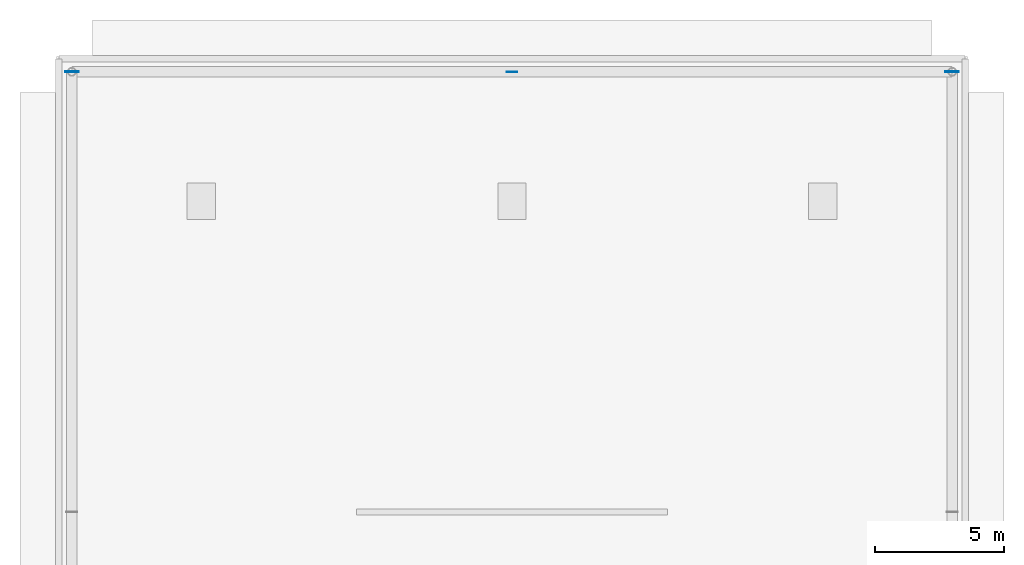
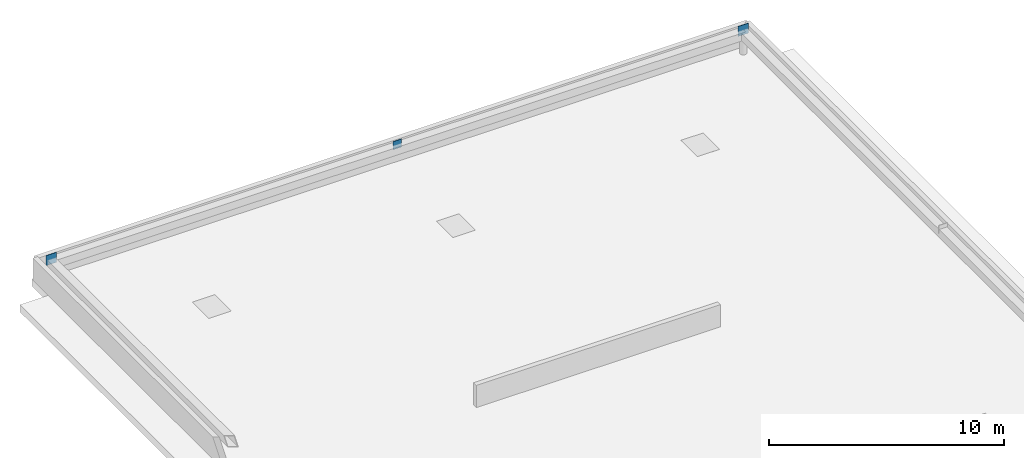
# One storey, part 8 of 9: 3 plates.
"""IFC4 building model written with IfcOpenShell, lengths in metres."""

from ifc_helpers import new_model, si_unit, direction, frame, origin, origin_2d, place, context, subcontext, project, spatial, rectangle, extrude, source, transform, mapped, material, layer, layer_set, type_object, element, save


model = new_model("IFC4")

# Units and contexts
model_context = context("Model", 3, precision=1e-05, world=origin(), true_north=direction((0.0, 1.0)))
body_context = subcontext(model_context, "Body", "Model", "MODEL_VIEW")
ifc_project = project(units=[si_unit("LENGTHUNIT", "METRE"), si_unit("AREAUNIT", "SQUARE_METRE"), si_unit("VOLUMEUNIT", "CUBIC_METRE"), si_unit("PLANEANGLEUNIT", "RADIAN"), si_unit("MASSUNIT", "GRAM", prefix="KILO")], contexts=[model_context])

# Site, building, storey
site_placement = place(None, origin())
site = spatial("IfcSite", under=ifc_project, at=site_placement, CompositionType="ELEMENT")
building_placement = place(site_placement, origin())
building = spatial("IfcBuilding", under=site, at=building_placement, Name="Nahalor Promenade Grand Hotel", CompositionType="ELEMENT")
storey_placement = place(building_placement, frame((0.0, 0.0, 375.449951171875)))
storey = spatial("IfcBuildingStorey", under=building, at=storey_placement, Name="RF", CompositionType="ELEMENT", Elevation=375.449951171875)

# Plates
ifc_material = material(Name="Steel S355JR", Category="steel")
ifc_layer_1 = layer(ifc_material, 0.02490234375)
ifc_layer_set_1 = layer_set([ifc_layer_1], Name="Steel S355JR")
plate_type_1 = type_object("IfcPlateType", Name="Plate-EndCap-25", PredefinedType="USERDEFINED", material=ifc_layer_set_1)
shared_shape_1 = source(origin(), body_context, "Body", "SweptSolid", [
    extrude(rectangle(XDim=0.52001953125, YDim=0.02490234375, at=origin_2d()), origin(), (0.0, 0.0, 1.0), 0.52001953125),
])
for number, where, z_axis, x_axis, name in (
    (1, (17.0, 17.0, 0.93994140625), (0.0, 0.0, 1.0), (1.0, 0.0, 0.0), "PL-RF-CN1-2"),
    (2, (-17.0, 17.0, 0.93994140625), (0.0, 0.0, 1.0), (1.0, 0.0, 0.0), "PL-RF-CN1-3"),
):
    element("IfcPlate", number, at=place(storey_placement, frame(where, z_axis=z_axis, x_axis=x_axis)), inside=storey, type_object=plate_type_1, Name=name, ObjectType="CAP_PLATE", PredefinedType="USERDEFINED", context=body_context, shape_type="MappedRepresentation", body=[
        mapped(shared_shape_1, transform((0.0, 0.0, 0.0), scale=1.0)),
    ])
ifc_layer_2 = layer(ifc_material, 0.02001953125)
ifc_layer_set_2 = layer_set([ifc_layer_2], Name="Steel S355JR")
plate_type_2 = type_object("IfcPlateType", Name="Plate-EndCap-20", PredefinedType="USERDEFINED", material=ifc_layer_set_2)
shared_shape_2 = source(origin(), body_context, "Body", "SweptSolid", [
    extrude(rectangle(XDim=0.419921875, YDim=0.02001953125, at=origin_2d()), origin(), (0.0, 0.0, 1.0), 0.419921875),
])
plate_placement = place(storey_placement, frame((0.0, 17.0, 0.989990234375), z_axis=(0.0, 0.0, 1.0), x_axis=(1.0, 0.0, 0.0)))
element("IfcPlate", 3, at=plate_placement, inside=storey, type_object=plate_type_2, Name="PL-RF-CAP2-2", ObjectType="CAP_PLATE", PredefinedType="USERDEFINED", context=body_context, shape_type="MappedRepresentation", body=[
    mapped(shared_shape_2, transform((0.0, 0.0, 0.0), scale=1.0)),
])

save(model, "model.ifc")
